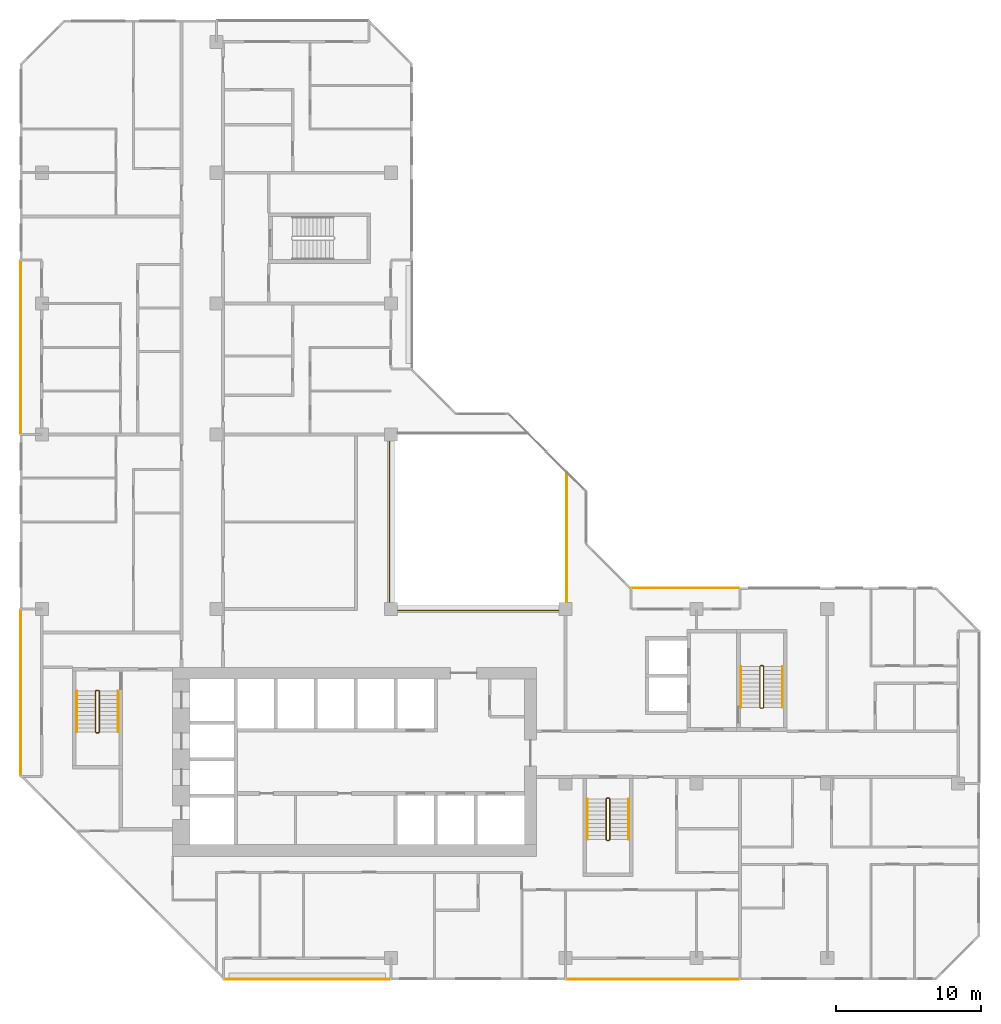
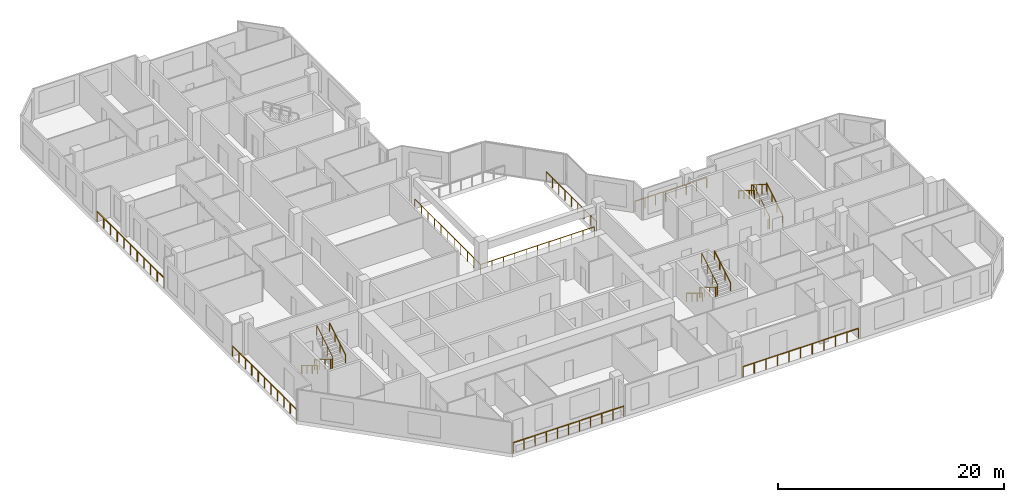
# One storey, part 13 of 14: 16 railings.
"""IFC4 building model written with IfcOpenShell, lengths in metres."""

from ifc_helpers import new_model, si_unit, direction, frame, origin, origin_2d, place, context, subcontext, project, spatial, rectangle, extrude, material, type_object, element, save


model = new_model("IFC4")

# Units and contexts
model_context = context("Model", 3, precision=1e-05, world=origin(), true_north=direction((0.0, 1.0)))
body_context = subcontext(model_context, "Body", "Model", "MODEL_VIEW")
ifc_project = project(units=[si_unit("LENGTHUNIT", "METRE"), si_unit("AREAUNIT", "SQUARE_METRE"), si_unit("VOLUMEUNIT", "CUBIC_METRE"), si_unit("PLANEANGLEUNIT", "RADIAN"), si_unit("MASSUNIT", "GRAM", prefix="KILO")], contexts=[model_context])

# Site, building, storey
site_placement = place(None, origin())
site = spatial("IfcSite", under=ifc_project, at=site_placement, CompositionType="ELEMENT")
building_placement = place(site_placement, origin())
building = spatial("IfcBuilding", under=site, at=building_placement, Name="Chenar Terraces", CompositionType="ELEMENT")
storey_placement = place(building_placement, frame((0.0, 0.0, 168.64990234375)))
storey = spatial("IfcBuildingStorey", under=building, at=storey_placement, Name="L38", CompositionType="ELEMENT", Elevation=168.64990234375)

# Railings
ifc_material_1 = material(Name="Powder-coated steel", Category="steel")
railing_type_1 = type_object("IfcRailingType", Name="Guard 1100 steel rail with glass infill", PredefinedType="GUARDRAIL", material=ifc_material_1)
railing_1_placement = place(storey_placement, frame((23.89990234375, 35.550048828125, 0.0)))
element("IfcRailing", 1, at=railing_1_placement, inside=storey, type_object=railing_type_1, Name="Guard L38-1", PredefinedType="GUARDRAIL", context=body_context, shape_type="SweptSolid", body=[
    extrude(rectangle(XDim=0.06005859375, YDim=0.06005859375, at=origin_2d()), frame((0.0, 0.0, 1.070068359375), z_axis=(0.0, -1.0, 0.0), x_axis=(1.0, 0.0, 0.0)), (0.0, 0.0, 1.0), 11.650146484375),
    extrude(rectangle(XDim=0.06005859375, YDim=0.06005859375, at=origin_2d()), frame((0.0, -11.650146484375, 1.070068359375), z_axis=(1.0, 0.0, 0.0), x_axis=(0.0, 1.0, 0.0)), (0.0, 0.0, 1.0), 11.650146484375),
    extrude(rectangle(XDim=0.050048828125, YDim=0.050048828125, at=origin_2d()), origin(), (0.0, 0.0, 1.0), 1.0400390625),
    extrude(rectangle(XDim=0.050048828125, YDim=0.050048828125, at=origin_2d()), frame((0.0, -1.1650390625, 0.0)), (0.0, 0.0, 1.0), 1.0400390625),
    extrude(rectangle(XDim=0.050048828125, YDim=0.050048828125, at=origin_2d()), frame((0.0, -2.330078125, 0.0)), (0.0, 0.0, 1.0), 1.0400390625),
    extrude(rectangle(XDim=0.050048828125, YDim=0.050048828125, at=origin_2d()), frame((0.0, -3.4951171875, 0.0)), (0.0, 0.0, 1.0), 1.0400390625),
    extrude(rectangle(XDim=0.050048828125, YDim=0.050048828125, at=origin_2d()), frame((0.0, -4.66015625, 0.0)), (0.0, 0.0, 1.0), 1.0400390625),
    extrude(rectangle(XDim=0.050048828125, YDim=0.050048828125, at=origin_2d()), frame((0.0, -5.8251953125, 0.0)), (0.0, 0.0, 1.0), 1.0400390625),
    extrude(rectangle(XDim=0.050048828125, YDim=0.050048828125, at=origin_2d()), frame((0.0, -6.989990234375, 0.0)), (0.0, 0.0, 1.0), 1.0400390625),
    extrude(rectangle(XDim=0.050048828125, YDim=0.050048828125, at=origin_2d()), frame((0.0, -8.155029296875, 0.0)), (0.0, 0.0, 1.0), 1.0400390625),
    extrude(rectangle(XDim=0.050048828125, YDim=0.050048828125, at=origin_2d()), frame((0.0, -9.320068359375, 0.0)), (0.0, 0.0, 1.0), 1.0400390625),
    extrude(rectangle(XDim=0.050048828125, YDim=0.050048828125, at=origin_2d()), frame((0.0, -10.485107421875, 0.0)), (0.0, 0.0, 1.0), 1.0400390625),
    extrude(rectangle(XDim=0.050048828125, YDim=0.050048828125, at=origin_2d()), frame((0.0, -11.650146484375, 0.0)), (0.0, 0.0, 1.0), 1.0400390625),
    extrude(rectangle(XDim=0.050048828125, YDim=0.050048828125, at=origin_2d()), frame((1.1650390625, -11.650146484375, 0.0)), (0.0, 0.0, 1.0), 1.0400390625),
    extrude(rectangle(XDim=0.050048828125, YDim=0.050048828125, at=origin_2d()), frame((2.330078125, -11.650146484375, 0.0)), (0.0, 0.0, 1.0), 1.0400390625),
    extrude(rectangle(XDim=0.050048828125, YDim=0.050048828125, at=origin_2d()), frame((3.4951171875, -11.650146484375, 0.0)), (0.0, 0.0, 1.0), 1.0400390625),
    extrude(rectangle(XDim=0.050048828125, YDim=0.050048828125, at=origin_2d()), frame((4.66015625, -11.650146484375, 0.0)), (0.0, 0.0, 1.0), 1.0400390625),
    extrude(rectangle(XDim=0.050048828125, YDim=0.050048828125, at=origin_2d()), frame((5.8251953125, -11.650146484375, 0.0)), (0.0, 0.0, 1.0), 1.0400390625),
    extrude(rectangle(XDim=0.050048828125, YDim=0.050048828125, at=origin_2d()), frame((6.989990234375, -11.650146484375, 0.0)), (0.0, 0.0, 1.0), 1.0400390625),
    extrude(rectangle(XDim=0.050048828125, YDim=0.050048828125, at=origin_2d()), frame((8.155029296875, -11.650146484375, 0.0)), (0.0, 0.0, 1.0), 1.0400390625),
    extrude(rectangle(XDim=0.050048828125, YDim=0.050048828125, at=origin_2d()), frame((9.320068359375, -11.650146484375, 0.0)), (0.0, 0.0, 1.0), 1.0400390625),
    extrude(rectangle(XDim=0.050048828125, YDim=0.050048828125, at=origin_2d()), frame((10.485107421875, -11.650146484375, 0.0)), (0.0, 0.0, 1.0), 1.0400390625),
    extrude(rectangle(XDim=0.050048828125, YDim=0.050048828125, at=origin_2d()), frame((11.650146484375, -11.650146484375, 0.0)), (0.0, 0.0, 1.0), 1.0400390625),
])
railing_2_placement = place(storey_placement, frame((36.10009765625, 24.5, 0.0)))
element("IfcRailing", 2, at=railing_2_placement, inside=storey, type_object=railing_type_1, Name="Guard L38-3", PredefinedType="GUARDRAIL", context=body_context, shape_type="SweptSolid", body=[
    extrude(rectangle(XDim=0.06005859375, YDim=0.06005859375, at=origin_2d()), frame((0.0, 0.0, 1.070068359375), z_axis=(0.0, 1.0, 0.0), x_axis=(-1.0, 0.0, 0.0)), (0.0, 0.0, 1.0), 8.89990234375),
    extrude(rectangle(XDim=0.050048828125, YDim=0.050048828125, at=origin_2d()), origin(), (0.0, 0.0, 1.0), 1.0400390625),
    extrude(rectangle(XDim=0.050048828125, YDim=0.050048828125, at=origin_2d()), frame((0.0, 1.112548828125, 0.0)), (0.0, 0.0, 1.0), 1.0400390625),
    extrude(rectangle(XDim=0.050048828125, YDim=0.050048828125, at=origin_2d()), frame((0.0, 2.22509765625, 0.0)), (0.0, 0.0, 1.0), 1.0400390625),
    extrude(rectangle(XDim=0.050048828125, YDim=0.050048828125, at=origin_2d()), frame((0.0, 3.33740234375, 0.0)), (0.0, 0.0, 1.0), 1.0400390625),
    extrude(rectangle(XDim=0.050048828125, YDim=0.050048828125, at=origin_2d()), frame((0.0, 4.449951171875, 0.0)), (0.0, 0.0, 1.0), 1.0400390625),
    extrude(rectangle(XDim=0.050048828125, YDim=0.050048828125, at=origin_2d()), frame((0.0, 5.5625, 0.0)), (0.0, 0.0, 1.0), 1.0400390625),
    extrude(rectangle(XDim=0.050048828125, YDim=0.050048828125, at=origin_2d()), frame((0.0, 6.6748046875, 0.0)), (0.0, 0.0, 1.0), 1.0400390625),
    extrude(rectangle(XDim=0.050048828125, YDim=0.050048828125, at=origin_2d()), frame((0.0, 7.787353515625, 0.0)), (0.0, 0.0, 1.0), 1.0400390625),
    extrude(rectangle(XDim=0.050048828125, YDim=0.050048828125, at=origin_2d()), frame((0.0, 8.89990234375, 0.0)), (0.0, 0.0, 1.0), 1.0400390625),
])
ifc_material_2 = material(Name="Stainless steel and glass", Category="steel")
railing_type_2 = type_object("IfcRailingType", Name="Loggia guard 1150", PredefinedType="GUARDRAIL", material=ifc_material_2)
railing_3_placement = place(storey_placement, frame((47.925048828125, 25.449951171875, 0.0)))
element("IfcRailing", 3, at=railing_3_placement, inside=storey, type_object=railing_type_2, Name="Loggia guard", PredefinedType="GUARDRAIL", context=body_context, shape_type="SweptSolid", body=[
    extrude(rectangle(XDim=0.048095703125, YDim=0.048095703125, at=origin_2d()), frame((0.0, 0.0, 1.1259765625), z_axis=(-1.0, 0.0, 0.0), x_axis=(0.0, -1.0, 0.0)), (0.0, 0.0, 1.0), 7.35009765625),
    extrude(rectangle(XDim=0.0419921875, YDim=0.0419921875, at=origin_2d()), origin(), (0.0, 0.0, 1.0), 1.101806640625),
    extrude(rectangle(XDim=0.0419921875, YDim=0.0419921875, at=origin_2d()), frame((-1.050048828125, 0.0, 0.0)), (0.0, 0.0, 1.0), 1.101806640625),
    extrude(rectangle(XDim=0.0419921875, YDim=0.0419921875, at=origin_2d()), frame((-2.10009765625, 0.0, 0.0)), (0.0, 0.0, 1.0), 1.101806640625),
    extrude(rectangle(XDim=0.0419921875, YDim=0.0419921875, at=origin_2d()), frame((-3.150146484375, 0.0, 0.0)), (0.0, 0.0, 1.0), 1.101806640625),
    extrude(rectangle(XDim=0.0419921875, YDim=0.0419921875, at=origin_2d()), frame((-4.199951171875, 0.0, 0.0)), (0.0, 0.0, 1.0), 1.101806640625),
    extrude(rectangle(XDim=0.0419921875, YDim=0.0419921875, at=origin_2d()), frame((-5.25, 0.0, 0.0)), (0.0, 0.0, 1.0), 1.101806640625),
    extrude(rectangle(XDim=0.0419921875, YDim=0.0419921875, at=origin_2d()), frame((-6.300048828125, 0.0, 0.0)), (0.0, 0.0, 1.0), 1.101806640625),
    extrude(rectangle(XDim=0.0419921875, YDim=0.0419921875, at=origin_2d()), frame((-7.35009765625, 0.0, 0.0)), (0.0, 0.0, 1.0), 1.101806640625),
])
railing_4_placement = place(storey_placement, frame((12.574951171875, -1.449951171875, 0.0)))
element("IfcRailing", 4, at=railing_4_placement, inside=storey, type_object=railing_type_2, Name="Loggia guard", PredefinedType="GUARDRAIL", context=body_context, shape_type="SweptSolid", body=[
    extrude(rectangle(XDim=0.048095703125, YDim=0.048095703125, at=origin_2d()), frame((0.0, 0.0, 1.1259765625), z_axis=(1.0, 0.0, 0.0), x_axis=(0.0, 1.0, 0.0)), (0.0, 0.0, 1.0), 11.35009765625),
    extrude(rectangle(XDim=0.0419921875, YDim=0.0419921875, at=origin_2d()), origin(), (0.0, 0.0, 1.0), 1.101806640625),
    extrude(rectangle(XDim=0.0419921875, YDim=0.0419921875, at=origin_2d()), frame((1.135009765625, 0.0, 0.0)), (0.0, 0.0, 1.0), 1.101806640625),
    extrude(rectangle(XDim=0.0419921875, YDim=0.0419921875, at=origin_2d()), frame((2.27001953125, 0.0, 0.0)), (0.0, 0.0, 1.0), 1.101806640625),
    extrude(rectangle(XDim=0.0419921875, YDim=0.0419921875, at=origin_2d()), frame((3.405029296875, 0.0, 0.0)), (0.0, 0.0, 1.0), 1.101806640625),
    extrude(rectangle(XDim=0.0419921875, YDim=0.0419921875, at=origin_2d()), frame((4.5400390625, 0.0, 0.0)), (0.0, 0.0, 1.0), 1.101806640625),
    extrude(rectangle(XDim=0.0419921875, YDim=0.0419921875, at=origin_2d()), frame((5.675048828125, 0.0, 0.0)), (0.0, 0.0, 1.0), 1.101806640625),
    extrude(rectangle(XDim=0.0419921875, YDim=0.0419921875, at=origin_2d()), frame((6.81005859375, 0.0, 0.0)), (0.0, 0.0, 1.0), 1.101806640625),
    extrude(rectangle(XDim=0.0419921875, YDim=0.0419921875, at=origin_2d()), frame((7.945068359375, 0.0, 0.0)), (0.0, 0.0, 1.0), 1.101806640625),
    extrude(rectangle(XDim=0.0419921875, YDim=0.0419921875, at=origin_2d()), frame((9.080078125, 0.0, 0.0)), (0.0, 0.0, 1.0), 1.101806640625),
    extrude(rectangle(XDim=0.0419921875, YDim=0.0419921875, at=origin_2d()), frame((10.215087890625, 0.0, 0.0)), (0.0, 0.0, 1.0), 1.101806640625),
    extrude(rectangle(XDim=0.0419921875, YDim=0.0419921875, at=origin_2d()), frame((11.35009765625, 0.0, 0.0)), (0.0, 0.0, 1.0), 1.101806640625),
])
railing_5_placement = place(storey_placement, frame((36.074951171875, -1.449951171875, 0.0)))
element("IfcRailing", 5, at=railing_5_placement, inside=storey, type_object=railing_type_2, Name="Loggia guard", PredefinedType="GUARDRAIL", context=body_context, shape_type="SweptSolid", body=[
    extrude(rectangle(XDim=0.048095703125, YDim=0.048095703125, at=origin_2d()), frame((0.0, 0.0, 1.1259765625), z_axis=(1.0, 0.0, 0.0), x_axis=(0.0, 1.0, 0.0)), (0.0, 0.0, 1.0), 11.85009765625),
    extrude(rectangle(XDim=0.0419921875, YDim=0.0419921875, at=origin_2d()), origin(), (0.0, 0.0, 1.0), 1.101806640625),
    extrude(rectangle(XDim=0.0419921875, YDim=0.0419921875, at=origin_2d()), frame((1.18505859375, 0.0, 0.0)), (0.0, 0.0, 1.0), 1.101806640625),
    extrude(rectangle(XDim=0.0419921875, YDim=0.0419921875, at=origin_2d()), frame((2.3701171875, 0.0, 0.0)), (0.0, 0.0, 1.0), 1.101806640625),
    extrude(rectangle(XDim=0.0419921875, YDim=0.0419921875, at=origin_2d()), frame((3.554931640625, 0.0, 0.0)), (0.0, 0.0, 1.0), 1.101806640625),
    extrude(rectangle(XDim=0.0419921875, YDim=0.0419921875, at=origin_2d()), frame((4.739990234375, 0.0, 0.0)), (0.0, 0.0, 1.0), 1.101806640625),
    extrude(rectangle(XDim=0.0419921875, YDim=0.0419921875, at=origin_2d()), frame((5.925048828125, 0.0, 0.0)), (0.0, 0.0, 1.0), 1.101806640625),
    extrude(rectangle(XDim=0.0419921875, YDim=0.0419921875, at=origin_2d()), frame((7.110107421875, 0.0, 0.0)), (0.0, 0.0, 1.0), 1.101806640625),
    extrude(rectangle(XDim=0.0419921875, YDim=0.0419921875, at=origin_2d()), frame((8.295166015625, 0.0, 0.0)), (0.0, 0.0, 1.0), 1.101806640625),
    extrude(rectangle(XDim=0.0419921875, YDim=0.0419921875, at=origin_2d()), frame((9.47998046875, 0.0, 0.0)), (0.0, 0.0, 1.0), 1.101806640625),
    extrude(rectangle(XDim=0.0419921875, YDim=0.0419921875, at=origin_2d()), frame((10.6650390625, 0.0, 0.0)), (0.0, 0.0, 1.0), 1.101806640625),
    extrude(rectangle(XDim=0.0419921875, YDim=0.0419921875, at=origin_2d()), frame((11.85009765625, 0.0, 0.0)), (0.0, 0.0, 1.0), 1.101806640625),
])
railing_6_placement = place(storey_placement, frame((-1.449951171875, 47.925048828125, 0.0)))
element("IfcRailing", 6, at=railing_6_placement, inside=storey, type_object=railing_type_2, Name="Loggia guard", PredefinedType="GUARDRAIL", context=body_context, shape_type="SweptSolid", body=[
    extrude(rectangle(XDim=0.048095703125, YDim=0.048095703125, at=origin_2d()), frame((0.0, 0.0, 1.1259765625), z_axis=(0.0, -1.0, 0.0), x_axis=(1.0, 0.0, 0.0)), (0.0, 0.0, 1.0), 11.85009765625),
    extrude(rectangle(XDim=0.0419921875, YDim=0.0419921875, at=origin_2d()), origin(), (0.0, 0.0, 1.0), 1.101806640625),
    extrude(rectangle(XDim=0.0419921875, YDim=0.0419921875, at=origin_2d()), frame((0.0, -1.18505859375, 0.0)), (0.0, 0.0, 1.0), 1.101806640625),
    extrude(rectangle(XDim=0.0419921875, YDim=0.0419921875, at=origin_2d()), frame((0.0, -2.3701171875, 0.0)), (0.0, 0.0, 1.0), 1.101806640625),
    extrude(rectangle(XDim=0.0419921875, YDim=0.0419921875, at=origin_2d()), frame((0.0, -3.554931640625, 0.0)), (0.0, 0.0, 1.0), 1.101806640625),
    extrude(rectangle(XDim=0.0419921875, YDim=0.0419921875, at=origin_2d()), frame((0.0, -4.739990234375, 0.0)), (0.0, 0.0, 1.0), 1.101806640625),
    extrude(rectangle(XDim=0.0419921875, YDim=0.0419921875, at=origin_2d()), frame((0.0, -5.925048828125, 0.0)), (0.0, 0.0, 1.0), 1.101806640625),
    extrude(rectangle(XDim=0.0419921875, YDim=0.0419921875, at=origin_2d()), frame((0.0, -7.110107421875, 0.0)), (0.0, 0.0, 1.0), 1.101806640625),
    extrude(rectangle(XDim=0.0419921875, YDim=0.0419921875, at=origin_2d()), frame((0.0, -8.295166015625, 0.0)), (0.0, 0.0, 1.0), 1.101806640625),
    extrude(rectangle(XDim=0.0419921875, YDim=0.0419921875, at=origin_2d()), frame((0.0, -9.47998046875, 0.0)), (0.0, 0.0, 1.0), 1.101806640625),
    extrude(rectangle(XDim=0.0419921875, YDim=0.0419921875, at=origin_2d()), frame((0.0, -10.6650390625, 0.0)), (0.0, 0.0, 1.0), 1.101806640625),
    extrude(rectangle(XDim=0.0419921875, YDim=0.0419921875, at=origin_2d()), frame((0.0, -11.85009765625, 0.0)), (0.0, 0.0, 1.0), 1.101806640625),
])
railing_7_placement = place(storey_placement, frame((-1.449951171875, 23.925048828125, 0.0)))
element("IfcRailing", 7, at=railing_7_placement, inside=storey, type_object=railing_type_2, Name="Loggia guard", PredefinedType="GUARDRAIL", context=body_context, shape_type="SweptSolid", body=[
    extrude(rectangle(XDim=0.048095703125, YDim=0.048095703125, at=origin_2d()), frame((0.0, 0.0, 1.1259765625), z_axis=(0.0, -1.0, 0.0), x_axis=(1.0, 0.0, 0.0)), (0.0, 0.0, 1.0), 11.35009765625),
    extrude(rectangle(XDim=0.0419921875, YDim=0.0419921875, at=origin_2d()), origin(), (0.0, 0.0, 1.0), 1.101806640625),
    extrude(rectangle(XDim=0.0419921875, YDim=0.0419921875, at=origin_2d()), frame((0.0, -1.135009765625, 0.0)), (0.0, 0.0, 1.0), 1.101806640625),
    extrude(rectangle(XDim=0.0419921875, YDim=0.0419921875, at=origin_2d()), frame((0.0, -2.27001953125, 0.0)), (0.0, 0.0, 1.0), 1.101806640625),
    extrude(rectangle(XDim=0.0419921875, YDim=0.0419921875, at=origin_2d()), frame((0.0, -3.405029296875, 0.0)), (0.0, 0.0, 1.0), 1.101806640625),
    extrude(rectangle(XDim=0.0419921875, YDim=0.0419921875, at=origin_2d()), frame((0.0, -4.5400390625, 0.0)), (0.0, 0.0, 1.0), 1.101806640625),
    extrude(rectangle(XDim=0.0419921875, YDim=0.0419921875, at=origin_2d()), frame((0.0, -5.675048828125, 0.0)), (0.0, 0.0, 1.0), 1.101806640625),
    extrude(rectangle(XDim=0.0419921875, YDim=0.0419921875, at=origin_2d()), frame((0.0, -6.81005859375, 0.0)), (0.0, 0.0, 1.0), 1.101806640625),
    extrude(rectangle(XDim=0.0419921875, YDim=0.0419921875, at=origin_2d()), frame((0.0, -7.945068359375, 0.0)), (0.0, 0.0, 1.0), 1.101806640625),
    extrude(rectangle(XDim=0.0419921875, YDim=0.0419921875, at=origin_2d()), frame((0.0, -9.080078125, 0.0)), (0.0, 0.0, 1.0), 1.101806640625),
    extrude(rectangle(XDim=0.0419921875, YDim=0.0419921875, at=origin_2d()), frame((0.0, -10.215087890625, 0.0)), (0.0, 0.0, 1.0), 1.101806640625),
    extrude(rectangle(XDim=0.0419921875, YDim=0.0419921875, at=origin_2d()), frame((0.0, -11.35009765625, 0.0)), (0.0, 0.0, 1.0), 1.101806640625),
])
ifc_material_3 = material(Name="Powder-coated steel", Category="steel")
railing_type_3 = type_object("IfcRailingType", Name="Stair guard 1100", PredefinedType="GUARDRAIL", material=ifc_material_3)
railing_8_placement = place(storey_placement, frame((3.949951171875, 18.35009765625, 3.75)))
element("IfcRailing", 8, at=railing_8_placement, inside=storey, type_object=railing_type_3, Name="L38 ST1 stair guard 1", PredefinedType="GUARDRAIL", context=body_context, shape_type="SweptSolid", body=[
    extrude(rectangle(XDim=0.048095703125, YDim=0.048095703125, at=origin_2d()), frame((0.0, 0.0, 1.076171875), z_axis=(0.0, -0.854202870247, -0.519939858505), x_axis=(1.0, 0.0, 0.0)), (0.0, 0.0, 1.0), 3.278076171875),
    extrude(rectangle(XDim=0.048095703125, YDim=0.048095703125, at=origin_2d()), frame((0.0, -2.800048828125, -0.62841796875), z_axis=(-0.270899902878, -0.270899902878, -0.923702595667), x_axis=(0.707106781187, -0.707106781187, 0.0)), (0.0, 0.0, 1.0), 0.184814453125),
    extrude(rectangle(XDim=0.048095703125, YDim=0.048095703125, at=origin_2d()), frame((-0.050048828125, -2.85009765625, -0.798828125), z_axis=(-1.0, 0.0, 0.0), x_axis=(0.0, -1.0, 0.0)), (0.0, 0.0, 1.0), 0.14990234375),
    extrude(rectangle(XDim=0.048095703125, YDim=0.048095703125, at=origin_2d()), frame((-0.199951171875, -2.85009765625, -0.798828125), z_axis=(-0.707106781187, 0.707106781187, 0.0), x_axis=(-0.707106781187, -0.707106781187, 0.0)), (0.0, 0.0, 1.0), 0.07080078125),
    extrude(rectangle(XDim=0.048095703125, YDim=0.048095703125, at=origin_2d()), frame((-0.25, -2.800048828125, -0.798828125), z_axis=(0.0, 0.854202870247, -0.519939858505), x_axis=(-1.0, 0.0, 0.0)), (0.0, 0.0, 1.0), 3.278076171875),
    extrude(rectangle(XDim=0.048095703125, YDim=0.048095703125, at=origin_2d()), frame((-0.25, 0.0, -2.50341796875), z_axis=(0.270996696079, 0.269674760976, -0.924032636873), x_axis=(-0.705375805398, 0.708833529934, 0.0)), (0.0, 0.0, 1.0), 0.1845703125),
    extrude(rectangle(XDim=0.048095703125, YDim=0.048095703125, at=origin_2d()), frame((-0.199951171875, 0.0498046875, -2.673828125), z_axis=(1.0, 0.0, 0.0), x_axis=(0.0, 1.0, 0.0)), (0.0, 0.0, 1.0), 0.14990234375),
    extrude(rectangle(XDim=0.0419921875, YDim=0.0419921875, at=origin_2d()), origin(), (0.0, 0.0, 1.0), 1.052001953125),
    extrude(rectangle(XDim=0.0419921875, YDim=0.0419921875, at=origin_2d()), frame((0.0, -0.933349609375, -0.568115234375)), (0.0, 0.0, 1.0), 1.052001953125),
    extrude(rectangle(XDim=0.0419921875, YDim=0.0419921875, at=origin_2d()), frame((0.0, -1.86669921875, -1.13623046875)), (0.0, 0.0, 1.0), 1.052001953125),
    extrude(rectangle(XDim=0.0419921875, YDim=0.0419921875, at=origin_2d()), frame((0.0, -2.800048828125, -1.704345703125)), (0.0, 0.0, 1.0), 1.052001953125),
    extrude(rectangle(XDim=0.0419921875, YDim=0.0419921875, at=origin_2d()), frame((-0.050048828125, -2.85009765625, -1.875)), (0.0, 0.0, 1.0), 1.052001953125),
    extrude(rectangle(XDim=0.0419921875, YDim=0.0419921875, at=origin_2d()), frame((-0.199951171875, -2.85009765625, -1.875)), (0.0, 0.0, 1.0), 1.052001953125),
    extrude(rectangle(XDim=0.0419921875, YDim=0.0419921875, at=origin_2d()), frame((-0.25, -2.800048828125, -1.875)), (0.0, 0.0, 1.0), 1.052001953125),
    extrude(rectangle(XDim=0.0419921875, YDim=0.0419921875, at=origin_2d()), frame((-0.25, -1.86669921875, -2.443115234375)), (0.0, 0.0, 1.0), 1.052001953125),
    extrude(rectangle(XDim=0.0419921875, YDim=0.0419921875, at=origin_2d()), frame((-0.25, -0.933349609375, -3.01123046875)), (0.0, 0.0, 1.0), 1.052001953125),
    extrude(rectangle(XDim=0.0419921875, YDim=0.0419921875, at=origin_2d()), frame((-0.25, 0.0, -3.579345703125)), (0.0, 0.0, 1.0), 1.052001953125),
    extrude(rectangle(XDim=0.0419921875, YDim=0.0419921875, at=origin_2d()), frame((-0.199951171875, 0.0498046875, -3.75)), (0.0, 0.0, 1.0), 1.052001953125),
    extrude(rectangle(XDim=0.0419921875, YDim=0.0419921875, at=origin_2d()), frame((-0.050048828125, 0.0498046875, -3.75)), (0.0, 0.0, 1.0), 1.052001953125),
])
railing_9_placement = place(storey_placement, frame((39.050048828125, 10.949951171875, 3.75)))
element("IfcRailing", 9, at=railing_9_placement, inside=storey, type_object=railing_type_3, Name="L38 ST2 stair guard 1", PredefinedType="GUARDRAIL", context=body_context, shape_type="SweptSolid", body=[
    extrude(rectangle(XDim=0.048095703125, YDim=0.048095703125, at=origin_2d()), frame((0.0, 0.0, 1.076171875), z_axis=(0.0, -0.854202870247, -0.519939858505), x_axis=(1.0, 0.0, 0.0)), (0.0, 0.0, 1.0), 3.278076171875),
    extrude(rectangle(XDim=0.048095703125, YDim=0.048095703125, at=origin_2d()), frame((0.0, -2.800048828125, -0.62841796875), z_axis=(-0.270996696079, -0.269674760976, -0.924032636873), x_axis=(0.705375805398, -0.708833529934, 0.0)), (0.0, 0.0, 1.0), 0.1845703125),
    extrude(rectangle(XDim=0.048095703125, YDim=0.048095703125, at=origin_2d()), frame((-0.050048828125, -2.849853515625, -0.798828125), z_axis=(-1.0, 0.0, 0.0), x_axis=(0.0, -1.0, 0.0)), (0.0, 0.0, 1.0), 0.14990234375),
    extrude(rectangle(XDim=0.048095703125, YDim=0.048095703125, at=origin_2d()), frame((-0.199951171875, -2.849853515625, -0.798828125), z_axis=(-0.708833529934, 0.705375805398, 0.0), x_axis=(-0.705375805398, -0.708833529934, 0.0)), (0.0, 0.0, 1.0), 0.070556640625),
    extrude(rectangle(XDim=0.048095703125, YDim=0.048095703125, at=origin_2d()), frame((-0.25, -2.800048828125, -0.798828125), z_axis=(0.0, 0.854202870247, -0.519939858505), x_axis=(-1.0, 0.0, 0.0)), (0.0, 0.0, 1.0), 3.278076171875),
    extrude(rectangle(XDim=0.048095703125, YDim=0.048095703125, at=origin_2d()), frame((-0.25, 0.0, -2.50341796875), z_axis=(0.270899902878, 0.270899902878, -0.923702595667), x_axis=(-0.707106781187, 0.707106781187, 0.0)), (0.0, 0.0, 1.0), 0.184814453125),
    extrude(rectangle(XDim=0.048095703125, YDim=0.048095703125, at=origin_2d()), frame((-0.199951171875, 0.050048828125, -2.673828125), z_axis=(1.0, 0.0, 0.0), x_axis=(0.0, 1.0, 0.0)), (0.0, 0.0, 1.0), 0.14990234375),
    extrude(rectangle(XDim=0.0419921875, YDim=0.0419921875, at=origin_2d()), origin(), (0.0, 0.0, 1.0), 1.052001953125),
    extrude(rectangle(XDim=0.0419921875, YDim=0.0419921875, at=origin_2d()), frame((0.0, -0.933349609375, -0.568115234375)), (0.0, 0.0, 1.0), 1.052001953125),
    extrude(rectangle(XDim=0.0419921875, YDim=0.0419921875, at=origin_2d()), frame((0.0, -1.86669921875, -1.13623046875)), (0.0, 0.0, 1.0), 1.052001953125),
    extrude(rectangle(XDim=0.0419921875, YDim=0.0419921875, at=origin_2d()), frame((0.0, -2.800048828125, -1.704345703125)), (0.0, 0.0, 1.0), 1.052001953125),
    extrude(rectangle(XDim=0.0419921875, YDim=0.0419921875, at=origin_2d()), frame((-0.050048828125, -2.849853515625, -1.875)), (0.0, 0.0, 1.0), 1.052001953125),
    extrude(rectangle(XDim=0.0419921875, YDim=0.0419921875, at=origin_2d()), frame((-0.199951171875, -2.849853515625, -1.875)), (0.0, 0.0, 1.0), 1.052001953125),
    extrude(rectangle(XDim=0.0419921875, YDim=0.0419921875, at=origin_2d()), frame((-0.25, -2.800048828125, -1.875)), (0.0, 0.0, 1.0), 1.052001953125),
    extrude(rectangle(XDim=0.0419921875, YDim=0.0419921875, at=origin_2d()), frame((-0.25, -1.86669921875, -2.443115234375)), (0.0, 0.0, 1.0), 1.052001953125),
    extrude(rectangle(XDim=0.0419921875, YDim=0.0419921875, at=origin_2d()), frame((-0.25, -0.933349609375, -3.01123046875)), (0.0, 0.0, 1.0), 1.052001953125),
    extrude(rectangle(XDim=0.0419921875, YDim=0.0419921875, at=origin_2d()), frame((-0.25, 0.0, -3.579345703125)), (0.0, 0.0, 1.0), 1.052001953125),
    extrude(rectangle(XDim=0.0419921875, YDim=0.0419921875, at=origin_2d()), frame((-0.199951171875, 0.050048828125, -3.75)), (0.0, 0.0, 1.0), 1.052001953125),
    extrude(rectangle(XDim=0.0419921875, YDim=0.0419921875, at=origin_2d()), frame((-0.050048828125, 0.050048828125, -3.75)), (0.0, 0.0, 1.0), 1.052001953125),
])
railing_10_placement = place(storey_placement, frame((49.375, 17.25, 3.75)))
element("IfcRailing", 10, at=railing_10_placement, inside=storey, type_object=railing_type_3, Name="L38 ST3 stair guard 1", PredefinedType="GUARDRAIL", context=body_context, shape_type="SweptSolid", body=[
    extrude(rectangle(XDim=0.048095703125, YDim=0.048095703125, at=origin_2d()), frame((0.0, 0.0, 1.076171875), z_axis=(0.0, 0.854202870247, -0.519939858505), x_axis=(-1.0, 0.0, 0.0)), (0.0, 0.0, 1.0), 3.278076171875),
    extrude(rectangle(XDim=0.048095703125, YDim=0.048095703125, at=origin_2d()), frame((0.0, 2.800048828125, -0.62841796875), z_axis=(0.270899902878, 0.270899902878, -0.923702595667), x_axis=(-0.707106781187, 0.707106781187, 0.0)), (0.0, 0.0, 1.0), 0.184814453125),
    extrude(rectangle(XDim=0.048095703125, YDim=0.048095703125, at=origin_2d()), frame((0.050048828125, 2.85009765625, -0.798828125), z_axis=(1.0, 0.0, 0.0), x_axis=(0.0, 1.0, 0.0)), (0.0, 0.0, 1.0), 0.14990234375),
    extrude(rectangle(XDim=0.048095703125, YDim=0.048095703125, at=origin_2d()), frame((0.199951171875, 2.85009765625, -0.798828125), z_axis=(0.707106781187, -0.707106781187, 0.0), x_axis=(0.707106781187, 0.707106781187, 0.0)), (0.0, 0.0, 1.0), 0.07080078125),
    extrude(rectangle(XDim=0.048095703125, YDim=0.048095703125, at=origin_2d()), frame((0.25, 2.800048828125, -0.798828125), z_axis=(0.0, -0.854202870247, -0.519939858505), x_axis=(1.0, 0.0, 0.0)), (0.0, 0.0, 1.0), 3.278076171875),
    extrude(rectangle(XDim=0.048095703125, YDim=0.048095703125, at=origin_2d()), frame((0.25, 0.0, -2.50341796875), z_axis=(-0.270899902878, -0.270899902878, -0.923702595667), x_axis=(0.707106781187, -0.707106781187, 0.0)), (0.0, 0.0, 1.0), 0.184814453125),
    extrude(rectangle(XDim=0.048095703125, YDim=0.048095703125, at=origin_2d()), frame((0.199951171875, -0.050048828125, -2.673828125), z_axis=(-1.0, 0.0, 0.0), x_axis=(0.0, -1.0, 0.0)), (0.0, 0.0, 1.0), 0.14990234375),
    extrude(rectangle(XDim=0.0419921875, YDim=0.0419921875, at=origin_2d()), origin(), (0.0, 0.0, 1.0), 1.052001953125),
    extrude(rectangle(XDim=0.0419921875, YDim=0.0419921875, at=origin_2d()), frame((0.0, 0.933349609375, -0.568115234375)), (0.0, 0.0, 1.0), 1.052001953125),
    extrude(rectangle(XDim=0.0419921875, YDim=0.0419921875, at=origin_2d()), frame((0.0, 1.86669921875, -1.13623046875)), (0.0, 0.0, 1.0), 1.052001953125),
    extrude(rectangle(XDim=0.0419921875, YDim=0.0419921875, at=origin_2d()), frame((0.0, 2.800048828125, -1.704345703125)), (0.0, 0.0, 1.0), 1.052001953125),
    extrude(rectangle(XDim=0.0419921875, YDim=0.0419921875, at=origin_2d()), frame((0.050048828125, 2.85009765625, -1.875)), (0.0, 0.0, 1.0), 1.052001953125),
    extrude(rectangle(XDim=0.0419921875, YDim=0.0419921875, at=origin_2d()), frame((0.199951171875, 2.85009765625, -1.875)), (0.0, 0.0, 1.0), 1.052001953125),
    extrude(rectangle(XDim=0.0419921875, YDim=0.0419921875, at=origin_2d()), frame((0.25, 2.800048828125, -1.875)), (0.0, 0.0, 1.0), 1.052001953125),
    extrude(rectangle(XDim=0.0419921875, YDim=0.0419921875, at=origin_2d()), frame((0.25, 1.86669921875, -2.443115234375)), (0.0, 0.0, 1.0), 1.052001953125),
    extrude(rectangle(XDim=0.0419921875, YDim=0.0419921875, at=origin_2d()), frame((0.25, 0.933349609375, -3.01123046875)), (0.0, 0.0, 1.0), 1.052001953125),
    extrude(rectangle(XDim=0.0419921875, YDim=0.0419921875, at=origin_2d()), frame((0.25, 0.0, -3.579345703125)), (0.0, 0.0, 1.0), 1.052001953125),
    extrude(rectangle(XDim=0.0419921875, YDim=0.0419921875, at=origin_2d()), frame((0.199951171875, -0.050048828125, -3.75)), (0.0, 0.0, 1.0), 1.052001953125),
    extrude(rectangle(XDim=0.0419921875, YDim=0.0419921875, at=origin_2d()), frame((0.050048828125, -0.050048828125, -3.75)), (0.0, 0.0, 1.0), 1.052001953125),
])
ifc_material_4 = material(Name="Powder-coated steel", Category="steel")
railing_type_4 = type_object("IfcRailingType", Name="Stair handrail 900", PredefinedType="HANDRAIL", material=ifc_material_4)
railing_11_placement = place(storey_placement, frame((2.39990234375, 18.35009765625, 0.170654296875)))
element("IfcRailing", 11, at=railing_11_placement, inside=storey, type_object=railing_type_4, Name="L38 ST1 stair handrail 1", PredefinedType="HANDRAIL", context=body_context, shape_type="SweptSolid", body=[
    extrude(rectangle(XDim=0.048095703125, YDim=0.048095703125, at=origin_2d()), frame((0.0, 0.0, 0.8759765625), z_axis=(0.0, -0.854202870247, 0.519939858505), x_axis=(1.0, 0.0, 0.0)), (0.0, 0.0, 1.0), 3.278076171875),
    extrude(rectangle(XDim=0.0419921875, YDim=0.0419921875, at=origin_2d()), origin(), (0.0, 0.0, 1.0), 0.851806640625),
    extrude(rectangle(XDim=0.0419921875, YDim=0.0419921875, at=origin_2d()), frame((0.0, -0.933349609375, 0.568115234375)), (0.0, 0.0, 1.0), 0.851806640625),
    extrude(rectangle(XDim=0.0419921875, YDim=0.0419921875, at=origin_2d()), frame((0.0, -1.86669921875, 1.13623046875)), (0.0, 0.0, 1.0), 0.851806640625),
    extrude(rectangle(XDim=0.0419921875, YDim=0.0419921875, at=origin_2d()), frame((0.0, -2.800048828125, 1.704345703125)), (0.0, 0.0, 1.0), 0.851806640625),
])
railing_12_placement = place(storey_placement, frame((5.25, 15.550048828125, 2.045654296875)))
element("IfcRailing", 12, at=railing_12_placement, inside=storey, type_object=railing_type_4, Name="L38 ST1 stair handrail 2", PredefinedType="HANDRAIL", context=body_context, shape_type="SweptSolid", body=[
    extrude(rectangle(XDim=0.048095703125, YDim=0.048095703125, at=origin_2d()), frame((0.0, 0.0, 0.8759765625), z_axis=(0.0, 0.854202870247, 0.519939858505), x_axis=(-1.0, 0.0, 0.0)), (0.0, 0.0, 1.0), 3.278076171875),
    extrude(rectangle(XDim=0.0419921875, YDim=0.0419921875, at=origin_2d()), origin(), (0.0, 0.0, 1.0), 0.851806640625),
    extrude(rectangle(XDim=0.0419921875, YDim=0.0419921875, at=origin_2d()), frame((0.0, 0.933349609375, 0.568115234375)), (0.0, 0.0, 1.0), 0.851806640625),
    extrude(rectangle(XDim=0.0419921875, YDim=0.0419921875, at=origin_2d()), frame((0.0, 1.86669921875, 1.13623046875)), (0.0, 0.0, 1.0), 0.851806640625),
    extrude(rectangle(XDim=0.0419921875, YDim=0.0419921875, at=origin_2d()), frame((0.0, 2.800048828125, 1.704345703125)), (0.0, 0.0, 1.0), 0.851806640625),
])
railing_13_placement = place(storey_placement, frame((37.5, 10.949951171875, 0.170654296875)))
element("IfcRailing", 13, at=railing_13_placement, inside=storey, type_object=railing_type_4, Name="L38 ST2 stair handrail 1", PredefinedType="HANDRAIL", context=body_context, shape_type="SweptSolid", body=[
    extrude(rectangle(XDim=0.048095703125, YDim=0.048095703125, at=origin_2d()), frame((0.0, 0.0, 0.8759765625), z_axis=(0.0, -0.854202870247, 0.519939858505), x_axis=(1.0, 0.0, 0.0)), (0.0, 0.0, 1.0), 3.278076171875),
    extrude(rectangle(XDim=0.0419921875, YDim=0.0419921875, at=origin_2d()), origin(), (0.0, 0.0, 1.0), 0.851806640625),
    extrude(rectangle(XDim=0.0419921875, YDim=0.0419921875, at=origin_2d()), frame((0.0, -0.933349609375, 0.568115234375)), (0.0, 0.0, 1.0), 0.851806640625),
    extrude(rectangle(XDim=0.0419921875, YDim=0.0419921875, at=origin_2d()), frame((0.0, -1.86669921875, 1.13623046875)), (0.0, 0.0, 1.0), 0.851806640625),
    extrude(rectangle(XDim=0.0419921875, YDim=0.0419921875, at=origin_2d()), frame((0.0, -2.800048828125, 1.704345703125)), (0.0, 0.0, 1.0), 0.851806640625),
])
for number, where, name in (
    (14, (40.35009765625, 8.14990234375, 2.045654296875), "L38 ST2 stair handrail 2"),
    (15, (50.925048828125, 17.25, 0.170654296875), "L38 ST3 stair handrail 1"),
):
    element("IfcRailing", number, at=place(storey_placement, frame(where)), inside=storey, type_object=railing_type_4, Name=name, PredefinedType="HANDRAIL", context=body_context, shape_type="SweptSolid", body=[
        extrude(rectangle(XDim=0.048095703125, YDim=0.048095703125, at=origin_2d()), frame((0.0, 0.0, 0.8759765625), z_axis=(0.0, 0.854202870247, 0.519939858505), x_axis=(-1.0, 0.0, 0.0)), (0.0, 0.0, 1.0), 3.278076171875),
        extrude(rectangle(XDim=0.0419921875, YDim=0.0419921875, at=origin_2d()), origin(), (0.0, 0.0, 1.0), 0.851806640625),
        extrude(rectangle(XDim=0.0419921875, YDim=0.0419921875, at=origin_2d()), frame((0.0, 0.933349609375, 0.568115234375)), (0.0, 0.0, 1.0), 0.851806640625),
        extrude(rectangle(XDim=0.0419921875, YDim=0.0419921875, at=origin_2d()), frame((0.0, 1.86669921875, 1.13623046875)), (0.0, 0.0, 1.0), 0.851806640625),
        extrude(rectangle(XDim=0.0419921875, YDim=0.0419921875, at=origin_2d()), frame((0.0, 2.800048828125, 1.704345703125)), (0.0, 0.0, 1.0), 0.851806640625),
    ])
railing_14_placement = place(storey_placement, frame((48.074951171875, 20.050048828125, 2.045654296875)))
element("IfcRailing", 16, at=railing_14_placement, inside=storey, type_object=railing_type_4, Name="L38 ST3 stair handrail 2", PredefinedType="HANDRAIL", context=body_context, shape_type="SweptSolid", body=[
    extrude(rectangle(XDim=0.048095703125, YDim=0.048095703125, at=origin_2d()), frame((0.0, 0.0, 0.8759765625), z_axis=(0.0, -0.854202870247, 0.519939858505), x_axis=(1.0, 0.0, 0.0)), (0.0, 0.0, 1.0), 3.278076171875),
    extrude(rectangle(XDim=0.0419921875, YDim=0.0419921875, at=origin_2d()), origin(), (0.0, 0.0, 1.0), 0.851806640625),
    extrude(rectangle(XDim=0.0419921875, YDim=0.0419921875, at=origin_2d()), frame((0.0, -0.933349609375, 0.568115234375)), (0.0, 0.0, 1.0), 0.851806640625),
    extrude(rectangle(XDim=0.0419921875, YDim=0.0419921875, at=origin_2d()), frame((0.0, -1.86669921875, 1.13623046875)), (0.0, 0.0, 1.0), 0.851806640625),
    extrude(rectangle(XDim=0.0419921875, YDim=0.0419921875, at=origin_2d()), frame((0.0, -2.800048828125, 1.704345703125)), (0.0, 0.0, 1.0), 0.851806640625),
])

save(model, "model.ifc")
